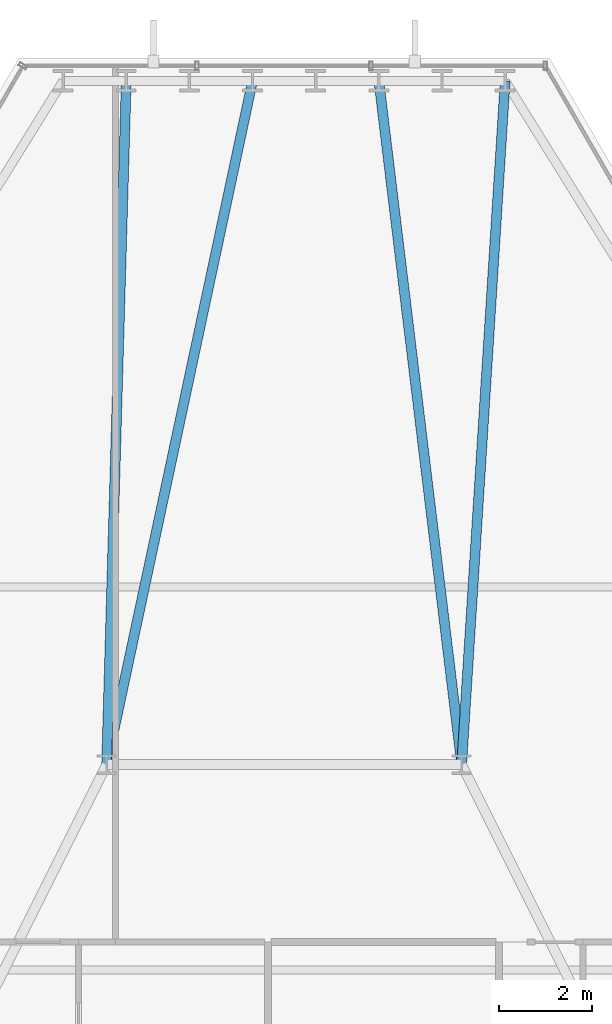
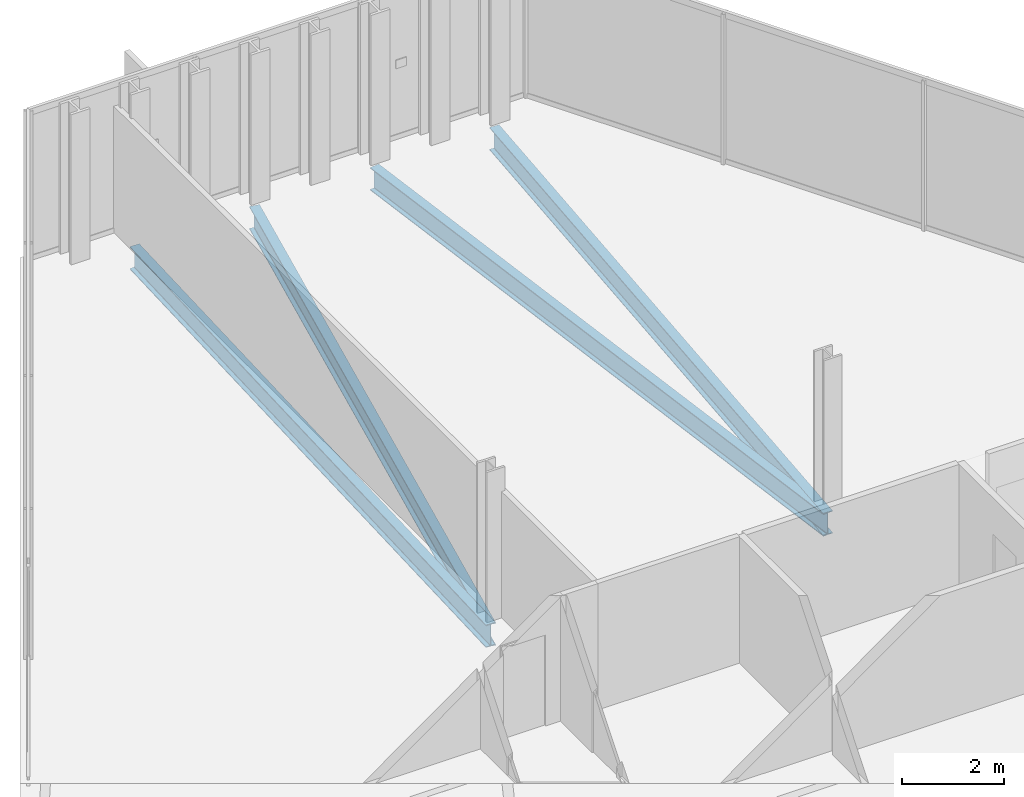
# One storey, part 22 of 33: 4 beams.
"""IFC4 building model written with IfcOpenShell, lengths in metres."""

from ifc_helpers import new_model, si_unit, direction, frame, origin, origin_2d, place, context, subcontext, project, spatial, i_section, extrude, material, material_profile, profile_set, type_object, element, save


model = new_model("IFC4")

# Units and contexts
model_context = context("Model", 3, precision=1e-05, world=origin(), true_north=direction((0.0, 1.0)))
body_context = subcontext(model_context, "Body", "Model", "MODEL_VIEW")
ifc_project = project(units=[si_unit("LENGTHUNIT", "METRE"), si_unit("AREAUNIT", "SQUARE_METRE"), si_unit("VOLUMEUNIT", "CUBIC_METRE"), si_unit("PLANEANGLEUNIT", "RADIAN"), si_unit("MASSUNIT", "GRAM", prefix="KILO")], contexts=[model_context])

# Site, building, storey
site_placement = place(None, origin())
site = spatial("IfcSite", under=ifc_project, at=site_placement, CompositionType="ELEMENT")
building_placement = place(site_placement, origin())
building = spatial("IfcBuilding", under=site, at=building_placement, Name="Ndaravel Arena Tower", CompositionType="ELEMENT")
storey_placement = place(building_placement, frame((0.0, 0.0, 153.60009765625)))
storey = spatial("IfcBuildingStorey", under=building, at=storey_placement, Name="L36", CompositionType="ELEMENT", Elevation=153.60009765625)

# Beams
ifc_material = material(Name="Steel S355", Category="steel")
ifc_material_profile = material_profile(ifc_material, i_section(OverallWidth=0.210693359375, OverallDepth=0.53955078125, WebThickness=0.01171875, FlangeThickness=0.018798828125, FilletRadius=0.0126953125, at=origin_2d()), Name="UB 533x210x109")
ifc_profile_set = profile_set([ifc_material_profile], Name="Steel S355")
beam_type = type_object("IfcBeamType", Name="BM-GIRD-UB533", PredefinedType="BEAM", material=ifc_profile_set)
beam_1_placement = place(storey_placement, frame((46.731201171875, 45.833740234375, -0.48974609375), z_axis=(-0.063501873165, -0.997981719324, 0.0), x_axis=(0.997981719324, -0.063501873165, 0.0)))
element("IfcBeam", 1, at=beam_1_placement, inside=storey, type_object=beam_type, Name="L36 Radial Floor Girder FG-11", PredefinedType="BEAM", context=body_context, shape_type="SweptSolid", body=[
    extrude(i_section(OverallWidth=0.210693359375, OverallDepth=0.53955078125, WebThickness=0.01171875, FlangeThickness=0.018798828125, FilletRadius=0.0126953125, at=origin_2d()), origin(), (0.0, 0.0, 1.0), 14.663330078125),
])
beam_2_placement = place(storey_placement, frame((44.027587890625, 45.833740234375, -0.48974609375), z_axis=(0.120242335277, -0.99274456977, 0.0), x_axis=(0.99274456977, 0.120242335277, 0.0)))
element("IfcBeam", 2, at=beam_2_placement, inside=storey, type_object=beam_type, Name="L36 Radial Floor Girder FG-13", PredefinedType="BEAM", context=body_context, shape_type="SweptSolid", body=[
    extrude(i_section(OverallWidth=0.210693359375, OverallDepth=0.53955078125, WebThickness=0.01171875, FlangeThickness=0.018798828125, FilletRadius=0.0126953125, at=origin_2d()), origin(), (0.0, 0.0, 1.0), 14.74072265625),
])
beam_3_placement = place(storey_placement, frame((41.32421875, 45.833740234375, -0.48974609375), z_axis=(-0.208791402451, -0.977960198711, 0.0), x_axis=(0.977960198711, -0.208791402451, 0.0)))
element("IfcBeam", 3, at=beam_3_placement, inside=storey, type_object=beam_type, Name="L36 Radial Floor Girder FG-15", PredefinedType="BEAM", context=body_context, shape_type="SweptSolid", body=[
    extrude(i_section(OverallWidth=0.210693359375, OverallDepth=0.53955078125, WebThickness=0.01171875, FlangeThickness=0.018798828125, FilletRadius=0.0126953125, at=origin_2d()), origin(), (0.0, 0.0, 1.0), 14.963623046875),
])
beam_4_placement = place(storey_placement, frame((38.62060546875, 45.833740234375, -0.48974609375), z_axis=(-0.028733543285, -0.999587106505, 0.0), x_axis=(0.999587106505, -0.028733543285, 0.0)))
element("IfcBeam", 4, at=beam_4_placement, inside=storey, type_object=beam_type, Name="L36 Radial Floor Girder FG-17", PredefinedType="BEAM", context=body_context, shape_type="SweptSolid", body=[
    extrude(i_section(OverallWidth=0.210693359375, OverallDepth=0.53955078125, WebThickness=0.01171875, FlangeThickness=0.018798828125, FilletRadius=0.0126953125, at=origin_2d()), origin(), (0.0, 0.0, 1.0), 14.639892578125),
])

save(model, "model.ifc")
